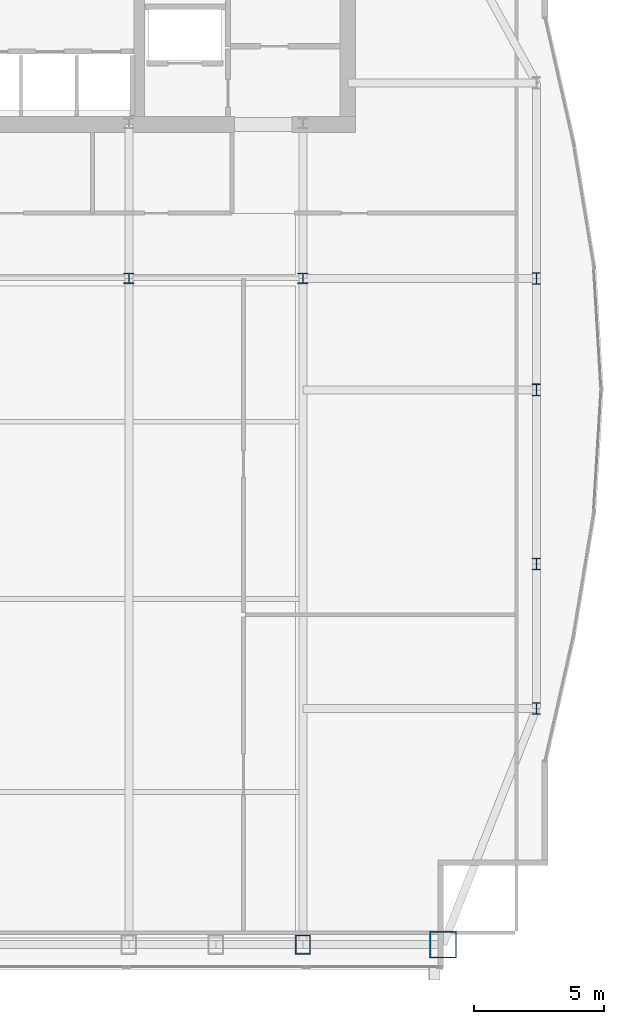
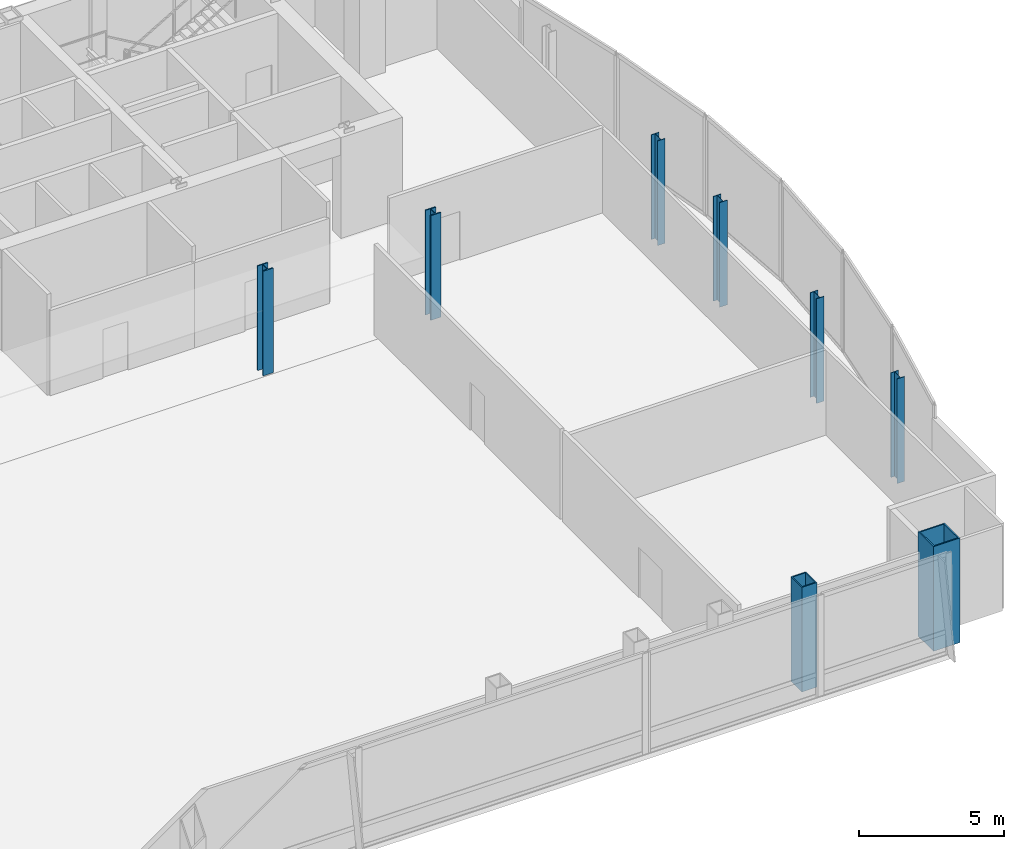
# One storey, part 2 of 28: 8 columns.
"""IFC4 building model written with IfcOpenShell, lengths in metres."""

from ifc_helpers import new_model, si_unit, direction, frame, origin, origin_2d, place, context, subcontext, project, spatial, hollow_rectangle, i_section, extrude, material, material_profile, profile_set, type_object, element, save


model = new_model("IFC4")

# Units and contexts
model_context = context("Model", 3, precision=1e-05, world=origin(), true_north=direction((0.0, 1.0)))
body_context = subcontext(model_context, "Body", "Model", "MODEL_VIEW")
ifc_project = project(units=[si_unit("LENGTHUNIT", "METRE"), si_unit("AREAUNIT", "SQUARE_METRE"), si_unit("VOLUMEUNIT", "CUBIC_METRE"), si_unit("PLANEANGLEUNIT", "RADIAN"), si_unit("MASSUNIT", "GRAM", prefix="KILO")], contexts=[model_context])

# Site, building, storey
site_placement = place(None, origin())
site = spatial("IfcSite", under=ifc_project, at=site_placement, CompositionType="ELEMENT")
building_placement = place(site_placement, origin())
building = spatial("IfcBuilding", under=site, at=building_placement, Name="Khoronbel Lancet Exchange", CompositionType="ELEMENT")
storey_placement = place(building_placement, frame((0.0, 0.0, 265.39990234375)))
storey = spatial("IfcBuildingStorey", under=building, at=storey_placement, Name="L68", CompositionType="ELEMENT", Elevation=265.39990234375)

# Columns
ifc_material_1 = material(Name="Steel S460", Category="steel")
ifc_material_profile_1 = material_profile(ifc_material_1, hollow_rectangle(XDim=0.60009765625, YDim=0.75, WallThickness=0.044921875, at=origin_2d()), Name="BOX 750x600x45")
ifc_profile_set_1 = profile_set([ifc_material_profile_1], Name="Steel S460")
column_type_1 = type_object("IfcColumnType", Name="COL-EC3", PredefinedType="COLUMN", material=ifc_profile_set_1)
column_1_placement = place(storey_placement, frame((54.675048828125, 10.14990234375, 0.0), z_axis=(0.0, 0.0, 1.0), x_axis=(1.0, 0.0, 0.0)))
element("IfcColumn", 1, at=column_1_placement, inside=storey, type_object=column_type_1, Name="Structural column SC-E2 L68", PredefinedType="COLUMN", context=body_context, shape_type="SweptSolid", body=[
    extrude(hollow_rectangle(XDim=0.60009765625, YDim=0.75, WallThickness=0.044921875, at=origin_2d()), origin(), (0.0, 0.0, 1.0), 4.400146484375),
])
ifc_material_2 = material(Name="Steel S355", Category="steel")
ifc_material_profile_2 = material_profile(ifc_material_2, i_section(OverallWidth=0.406005859375, OverallDepth=0.416015625, WebThickness=0.02978515625, FlangeThickness=0.048095703125, at=origin_2d()), Name="HD 400x382")
ifc_profile_set_2 = profile_set([ifc_material_profile_2], Name="Steel S355")
column_type_2 = type_object("IfcColumnType", Name="COL-IC3", PredefinedType="COLUMN", material=ifc_profile_set_2)
for number, where, z_axis, x_axis, name in (
    (2, (48.0, 35.699951171875, 0.0), (0.0, 0.0, 1.0), (1.0, 0.0, 0.0), "Spine gravity column TC3 L68"),
    (3, (54.675048828125, 35.699951171875, 0.0), (0.0, 0.0, 1.0), (1.0, 0.0, 0.0), "Spine gravity column TC4 L68"),
):
    element("IfcColumn", number, at=place(storey_placement, frame(where, z_axis=z_axis, x_axis=x_axis)), inside=storey, type_object=column_type_2, Name=name, PredefinedType="COLUMN", context=body_context, shape_type="SweptSolid", body=[
        extrude(i_section(OverallWidth=0.406005859375, OverallDepth=0.416015625, WebThickness=0.02978515625, FlangeThickness=0.048095703125, at=origin_2d()), origin(), (0.0, 0.0, 1.0), 4.400146484375),
    ])
ifc_material_profile_3 = material_profile(ifc_material_2, i_section(OverallWidth=0.300048828125, OverallDepth=0.449951171875, WebThickness=0.013916015625, FlangeThickness=0.02587890625, at=origin_2d()), Name="HEB 450")
ifc_profile_set_3 = profile_set([ifc_material_profile_3], Name="Steel S355")
column_type_3 = type_object("IfcColumnType", Name="COL-LC2", PredefinedType="COLUMN", material=ifc_profile_set_3)
for number, where, z_axis, x_axis, name in (
    (4, (63.6298828125, 19.199951171875, 0.0), (0.0, 0.0, 1.0), (1.0, 0.0, 0.0), "Structural column EC-1 L68"),
    (5, (63.6298828125, 24.75, 0.0), (0.0, 0.0, 1.0), (1.0, 0.0, 0.0), "Structural column EC-2 L68"),
    (6, (63.6298828125, 31.425048828125, 0.0), (0.0, 0.0, 1.0), (1.0, 0.0, 0.0), "Structural column EC-M L68"),
    (7, (63.6298828125, 35.699951171875, 0.0), (0.0, 0.0, 1.0), (1.0, 0.0, 0.0), "Structural column EC-3 L68"),
):
    element("IfcColumn", number, at=place(storey_placement, frame(where, z_axis=z_axis, x_axis=x_axis)), inside=storey, type_object=column_type_3, Name=name, PredefinedType="COLUMN", context=body_context, shape_type="SweptSolid", body=[
        extrude(i_section(OverallWidth=0.300048828125, OverallDepth=0.449951171875, WebThickness=0.013916015625, FlangeThickness=0.02587890625, at=origin_2d()), origin(), (0.0, 0.0, 1.0), 4.400146484375),
    ])
ifc_material_profile_4 = material_profile(ifc_material_1, hollow_rectangle(XDim=1.050048828125, YDim=1.050048828125, WallThickness=0.054931640625, at=origin_2d()), Name="BOX 1050x1050x55")
ifc_profile_set_4 = profile_set([ifc_material_profile_4], Name="Steel S460")
column_type_4 = type_object("IfcColumnType", Name="COL-MC6", PredefinedType="COLUMN", material=ifc_profile_set_4)
column_2_placement = place(storey_placement, frame((60.050048828125, 10.14990234375, 0.0), z_axis=(0.0, 0.0, 1.0), x_axis=(1.0, 0.0, 0.0)))
element("IfcColumn", 8, at=column_2_placement, inside=storey, type_object=column_type_4, Name="Structural column MC-SE L68", PredefinedType="COLUMN", context=body_context, shape_type="SweptSolid", body=[
    extrude(hollow_rectangle(XDim=1.050048828125, YDim=1.050048828125, WallThickness=0.054931640625, at=origin_2d()), origin(), (0.0, 0.0, 1.0), 4.400146484375),
])

save(model, "model.ifc")
